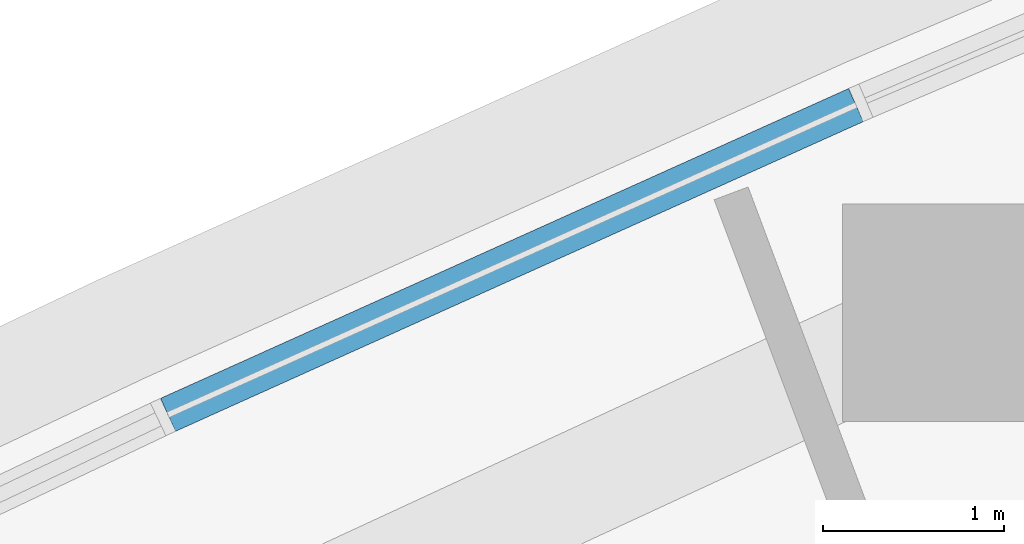
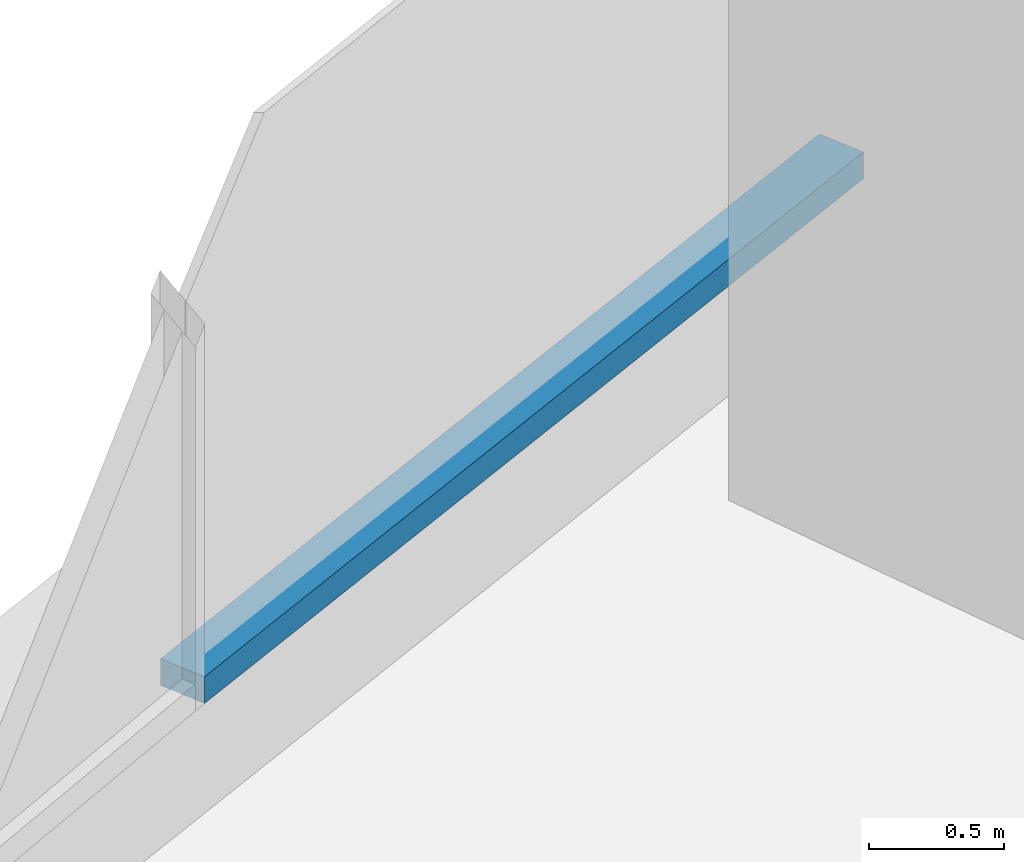
# One storey, part 3 of 16: 1 member, 1 element without a shape of its own.
"""IFC4 building model written with IfcOpenShell, lengths in metres."""

from ifc_helpers import new_model, si_unit, direction, frame, origin, origin_2d, place, context, subcontext, project, spatial, rectangle, extrude, material, layer, layer_set, material_profile, profile_set, type_object, element, aggregate, save


model = new_model("IFC4")

# Units and contexts
model_context = context("Model", 3, precision=1e-05, world=origin(), true_north=direction((0.0, 1.0)))
body_context = subcontext(model_context, "Body", "Model", "MODEL_VIEW")
ifc_project = project(units=[si_unit("LENGTHUNIT", "METRE"), si_unit("AREAUNIT", "SQUARE_METRE"), si_unit("VOLUMEUNIT", "CUBIC_METRE"), si_unit("PLANEANGLEUNIT", "RADIAN"), si_unit("MASSUNIT", "GRAM", prefix="KILO")], contexts=[model_context])

# Site, building, storey
site_placement = place(None, origin())
site = spatial("IfcSite", under=ifc_project, at=site_placement, CompositionType="ELEMENT")
building_placement = place(site_placement, origin())
building = spatial("IfcBuilding", under=site, at=building_placement, Name="Ostrand Prow Hotel Tower", CompositionType="ELEMENT")
storey_placement = place(building_placement, frame((0.0, 0.0, 252.75)))
storey = spatial("IfcBuildingStorey", under=building, at=storey_placement, Name="L64", CompositionType="ELEMENT", Elevation=252.75)

# Curtain wall, member
ifc_material_1 = material(Name="Insulated glass in bronze anodised frame", Category="glass")
ifc_layer = layer(ifc_material_1, 0.199951171875)
ifc_layer_set = layer_set([ifc_layer], Name="Insulated glass in bronze anodised frame")
curtain_wall_type = type_object("IfcCurtainWallType", Name="Strip curtain wall, fritted glass over bronze spandrel", PredefinedType="NOTDEFINED", material=ifc_layer_set)
curtain_wall_placement = place(storey_placement, origin())
curtain_wall = element("IfcCurtainWall", 1, at=curtain_wall_placement, inside=storey, type_object=curtain_wall_type, Name="CW1 run CWN5", PredefinedType="NOTDEFINED")
ifc_material_2 = material(Name="Bronze anodised aluminium", Category="aluminium")
ifc_material_profile = material_profile(ifc_material_2, rectangle(XDim=0.199951171875, YDim=0.1201171875, at=origin_2d()), Name="Transom 120x200 bronze anodised aluminium")
ifc_profile_set = profile_set([ifc_material_profile], Name="Bronze anodised aluminium")
member_type = type_object("IfcMemberType", Name="Transom 120x200 bronze anodised aluminium", PredefinedType="USERDEFINED", material=ifc_profile_set)
member_placement = place(storey_placement, frame((20.53271484375, 10.10400390625, 0.9599609375), z_axis=(-0.911832617051, -0.410562149353, 0.0), x_axis=(0.410562149353, -0.911832617051, 0.0)))
member = element("IfcMember", 2, at=member_placement, type_object=member_type, Name="CW1 transom 1.1", ObjectType="TRANSOM", PredefinedType="USERDEFINED", context=body_context, shape_type="SweptSolid", body=[
    extrude(rectangle(XDim=0.199951171875, YDim=0.1201171875, at=origin_2d()), origin(), (0.0, 0.0, 1.0), 4.163818359375),
])
aggregate(curtain_wall, [member])

save(model, "model.ifc")
